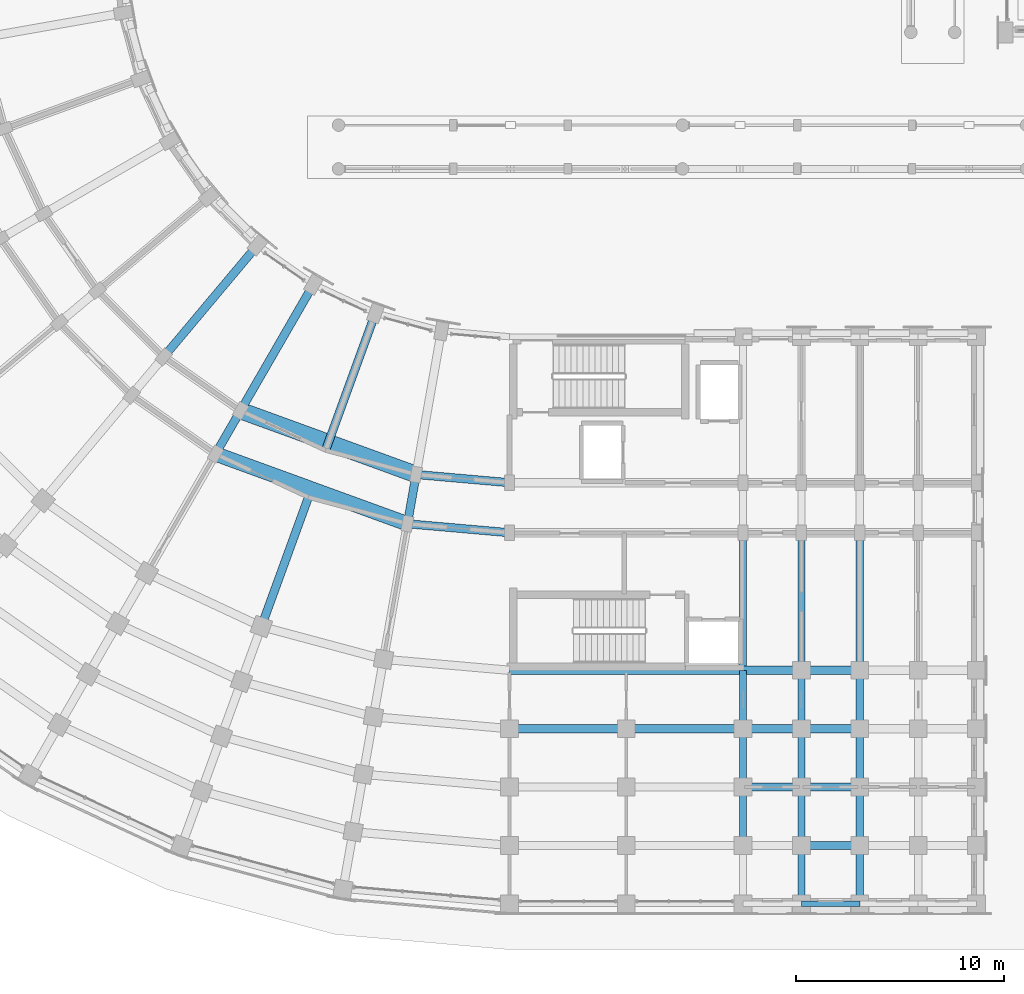
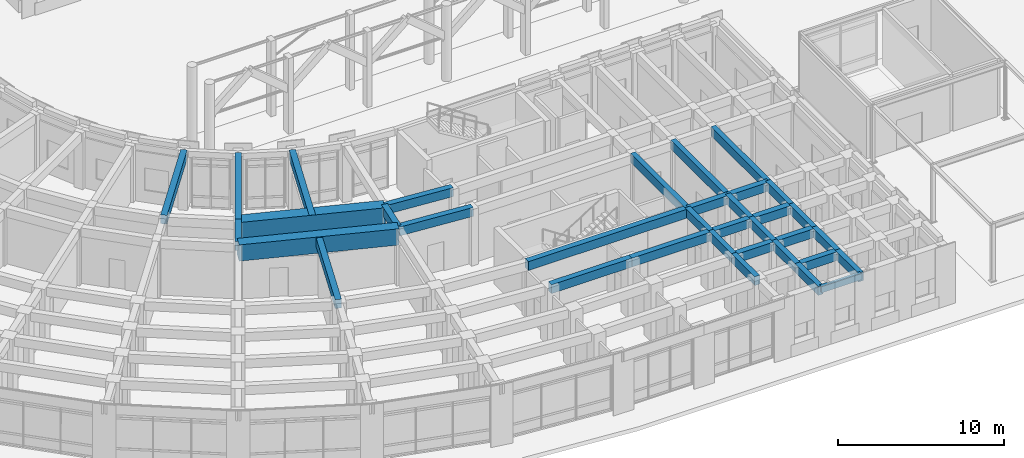
# One storey, part 17 of 135: 35 beams.
"""IFC4 building model written with IfcOpenShell, lengths in metres."""

from ifc_helpers import new_model, si_unit, direction, frame, origin, origin_2d, place, context, subcontext, project, spatial, rectangle, extrude, material, material_profile, profile_set, type_object, element, save


model = new_model("IFC4")

# Units and contexts
model_context = context("Model", 3, precision=1e-05, world=origin(), true_north=direction((0.0, 1.0)))
body_context = subcontext(model_context, "Body", "Model", "MODEL_VIEW")
ifc_project = project(units=[si_unit("LENGTHUNIT", "METRE"), si_unit("AREAUNIT", "SQUARE_METRE"), si_unit("VOLUMEUNIT", "CUBIC_METRE"), si_unit("PLANEANGLEUNIT", "RADIAN"), si_unit("MASSUNIT", "GRAM", prefix="KILO")], contexts=[model_context])

# Site, building, storey
site_placement = place(None, origin())
site = spatial("IfcSite", under=ifc_project, at=site_placement, CompositionType="ELEMENT")
building_placement = place(site_placement, origin())
building = spatial("IfcBuilding", under=site, at=building_placement, Name="Kiranvali Square Residences", CompositionType="ELEMENT")
storey_placement = place(building_placement, origin())
storey = spatial("IfcBuildingStorey", under=building, at=storey_placement, Name="L00", CompositionType="ELEMENT", Elevation=0.0)

# Beams
ifc_material_1 = material(Name="Concrete M40 (40 MPa)", Category="concrete")
ifc_material_profile_1 = material_profile(ifc_material_1, rectangle(XDim=0.35009765625, YDim=0.64990234375, at=origin_2d()), Name="RC 350x650")
ifc_profile_set_1 = profile_set([ifc_material_profile_1], Name="Concrete M40 (40 MPa)")
beam_type_1 = type_object("IfcBeamType", Name="BM-M40-350x650", PredefinedType="BEAM", material=ifc_profile_set_1)
beam_1_placement = place(storey_placement, frame((59.39990234375, 20.0, 3.824951171875), z_axis=(0.0, -1.0, 0.0), x_axis=(1.0, 0.0, 0.0)))
element("IfcBeam", 1, at=beam_1_placement, inside=storey, type_object=beam_type_1, Name="L00 beam BM-C-L00-A1T1-23", PredefinedType="BEAM", context=body_context, shape_type="SweptSolid", body=[
    extrude(rectangle(XDim=0.35009765625, YDim=0.64990234375, at=origin_2d()), origin(), (0.0, 0.0, 1.0), 6.60009765625),
])
beam_2_placement = place(storey_placement, frame((59.39990234375, 13.39990234375, 3.824951171875), z_axis=(0.0, -1.0, 0.0), x_axis=(1.0, 0.0, 0.0)))
element("IfcBeam", 2, at=beam_2_placement, inside=storey, type_object=beam_type_1, Name="L00 beam BM-C-L00-A1T1-34", PredefinedType="BEAM", context=body_context, shape_type="SweptSolid", body=[
    extrude(rectangle(XDim=0.35009765625, YDim=0.64990234375, at=origin_2d()), origin(), (0.0, 0.0, 1.0), 2.7998046875),
])
for number, where, z_axis, x_axis, name in (
    (3, (59.39990234375, 10.60009765625, 3.824951171875), (0.0, -1.0, 0.0), (1.0, 0.0, 0.0), "L00 beam BM-C-L00-A1T1-45"),
    (4, (59.39990234375, 7.800048828125, 3.824951171875), (0.0, -1.0, 0.0), (1.0, 0.0, 0.0), "L00 beam BM-C-L00-A1T1-56"),
):
    element("IfcBeam", number, at=place(storey_placement, frame(where, z_axis=z_axis, x_axis=x_axis)), inside=storey, type_object=beam_type_1, Name=name, PredefinedType="BEAM", context=body_context, shape_type="SweptSolid", body=[
        extrude(rectangle(XDim=0.35009765625, YDim=0.64990234375, at=origin_2d()), origin(), (0.0, 0.0, 1.0), 2.800048828125),
    ])
beam_3_placement = place(storey_placement, frame((62.199951171875, 20.0, 3.824951171875), z_axis=(0.0, -1.0, 0.0), x_axis=(1.0, 0.0, 0.0)))
element("IfcBeam", 5, at=beam_3_placement, inside=storey, type_object=beam_type_1, Name="L00 beam BM-C-L00-A1T2-23", PredefinedType="BEAM", context=body_context, shape_type="SweptSolid", body=[
    extrude(rectangle(XDim=0.35009765625, YDim=0.64990234375, at=origin_2d()), origin(), (0.0, 0.0, 1.0), 6.60009765625),
])
beam_4_placement = place(storey_placement, frame((62.199951171875, 13.39990234375, 3.824951171875), z_axis=(0.0, -1.0, 0.0), x_axis=(1.0, 0.0, 0.0)))
element("IfcBeam", 6, at=beam_4_placement, inside=storey, type_object=beam_type_1, Name="L00 beam BM-C-L00-A1T2-34", PredefinedType="BEAM", context=body_context, shape_type="SweptSolid", body=[
    extrude(rectangle(XDim=0.35009765625, YDim=0.64990234375, at=origin_2d()), origin(), (0.0, 0.0, 1.0), 2.7998046875),
])
for number, where, z_axis, x_axis, name in (
    (7, (62.199951171875, 10.60009765625, 3.824951171875), (0.0, -1.0, 0.0), (1.0, 0.0, 0.0), "L00 beam BM-C-L00-A1T2-45"),
    (8, (62.199951171875, 7.800048828125, 3.824951171875), (0.0, -1.0, 0.0), (1.0, 0.0, 0.0), "L00 beam BM-C-L00-A1T2-56"),
    (9, (62.199951171875, 5.0, 3.824951171875), (0.0, -1.0, 0.0), (1.0, 0.0, 0.0), "L00 beam BM-C-L00-A1T2-67"),
):
    element("IfcBeam", number, at=place(storey_placement, frame(where, z_axis=z_axis, x_axis=x_axis)), inside=storey, type_object=beam_type_1, Name=name, PredefinedType="BEAM", context=body_context, shape_type="SweptSolid", body=[
        extrude(rectangle(XDim=0.35009765625, YDim=0.64990234375, at=origin_2d()), origin(), (0.0, 0.0, 1.0), 2.800048828125),
    ])
beam_5_placement = place(storey_placement, frame((65.0, 20.0, 3.824951171875), z_axis=(0.0, -1.0, 0.0), x_axis=(1.0, 0.0, 0.0)))
element("IfcBeam", 10, at=beam_5_placement, inside=storey, type_object=beam_type_1, Name="L00 beam BM-C-L00-A1T3-23", PredefinedType="BEAM", context=body_context, shape_type="SweptSolid", body=[
    extrude(rectangle(XDim=0.35009765625, YDim=0.64990234375, at=origin_2d()), origin(), (0.0, 0.0, 1.0), 6.60009765625),
])
beam_6_placement = place(storey_placement, frame((65.0, 13.39990234375, 3.824951171875), z_axis=(0.0, -1.0, 0.0), x_axis=(1.0, 0.0, 0.0)))
element("IfcBeam", 11, at=beam_6_placement, inside=storey, type_object=beam_type_1, Name="L00 beam BM-C-L00-A1T3-34", PredefinedType="BEAM", context=body_context, shape_type="SweptSolid", body=[
    extrude(rectangle(XDim=0.35009765625, YDim=0.64990234375, at=origin_2d()), origin(), (0.0, 0.0, 1.0), 2.7998046875),
])
for number, where, z_axis, x_axis, name in (
    (12, (65.0, 10.60009765625, 3.824951171875), (0.0, -1.0, 0.0), (1.0, 0.0, 0.0), "L00 beam BM-C-L00-A1T3-45"),
    (13, (65.0, 7.800048828125, 3.824951171875), (0.0, -1.0, 0.0), (1.0, 0.0, 0.0), "L00 beam BM-C-L00-A1T3-56"),
    (14, (65.0, 5.0, 3.824951171875), (0.0, -1.0, 0.0), (1.0, 0.0, 0.0), "L00 beam BM-C-L00-A1T3-67"),
):
    element("IfcBeam", number, at=place(storey_placement, frame(where, z_axis=z_axis, x_axis=x_axis)), inside=storey, type_object=beam_type_1, Name=name, PredefinedType="BEAM", context=body_context, shape_type="SweptSolid", body=[
        extrude(rectangle(XDim=0.35009765625, YDim=0.64990234375, at=origin_2d()), origin(), (0.0, 0.0, 1.0), 2.800048828125),
    ])
ifc_material_2 = material(Name="Concrete M45 (45 MPa)", Category="concrete")
ifc_material_profile_2 = material_profile(ifc_material_2, rectangle(XDim=0.39990234375, YDim=0.64990234375, at=origin_2d()), Name="RC 400x650")
ifc_profile_set_2 = profile_set([ifc_material_profile_2], Name="Concrete M45 (45 MPa)")
beam_type_2 = type_object("IfcBeamType", Name="BM-M45-400x650", PredefinedType="BEAM", material=ifc_profile_set_2)
beam_7_placement = place(storey_placement, frame((48.199951171875, 22.39990234375, 3.824951171875), z_axis=(-0.996191949488, 0.087187153726, 0.0), x_axis=(-0.087187153726, -0.996191949488, 0.0)))
element("IfcBeam", 15, at=beam_7_placement, inside=storey, type_object=beam_type_2, Name="L00 beam BM-C-L00-C00-R1", PredefinedType="BEAM", context=body_context, shape_type="SweptSolid", body=[
    extrude(rectangle(XDim=0.39990234375, YDim=0.64990234375, at=origin_2d()), origin(), (0.0, 0.0, 1.0), 4.4970703125),
])
beam_8_placement = place(storey_placement, frame((48.199951171875, 20.0, 3.824951171875), z_axis=(-0.996193663584, 0.087167566415, 0.0), x_axis=(-0.087167566415, -0.996193663584, 0.0)))
element("IfcBeam", 16, at=beam_8_placement, inside=storey, type_object=beam_type_2, Name="L00 beam BM-C-L00-C00-R2", PredefinedType="BEAM", context=body_context, shape_type="SweptSolid", body=[
    extrude(rectangle(XDim=0.39990234375, YDim=0.64990234375, at=origin_2d()), origin(), (0.0, 0.0, 1.0), 4.91552734375),
])
beam_9_placement = place(storey_placement, frame((43.719970703125, 22.7919921875, 3.824951171875), z_axis=(-0.173646056486, -0.984808127031, 0.0), x_axis=(0.984808127031, -0.173646056486, 0.0)))
element("IfcBeam", 17, at=beam_9_placement, inside=storey, type_object=beam_type_2, Name="L00 beam BM-C-L00-RAD01-12", PredefinedType="BEAM", context=body_context, shape_type="SweptSolid", body=[
    extrude(rectangle(XDim=0.39990234375, YDim=0.64990234375, at=origin_2d()), origin(), (0.0, 0.0, 1.0), 2.39990234375),
])
beam_10_placement = place(storey_placement, frame((41.77001953125, 30.53369140625, 3.824951171875), z_axis=(-0.342006283793, -0.939697665127, 0.0), x_axis=(0.939697665127, -0.342006283793, 0.0)))
element("IfcBeam", 18, at=beam_10_placement, inside=storey, type_object=beam_type_2, Name="L00 beam BM-C-L00-RAD02-01", PredefinedType="BEAM", context=body_context, shape_type="SweptSolid", body=[
    extrude(rectangle(XDim=0.39990234375, YDim=0.64990234375, at=origin_2d()), origin(), (0.0, 0.0, 1.0), 7.0),
])
beam_11_placement = place(storey_placement, frame((38.554931640625, 21.70068359375, 3.824951171875), z_axis=(-0.342022238372, -0.939691858249, 0.0), x_axis=(0.939691858249, -0.342022238372, 0.0)))
element("IfcBeam", 19, at=beam_11_placement, inside=storey, type_object=beam_type_2, Name="L00 beam BM-C-L00-RAD02-23", PredefinedType="BEAM", context=body_context, shape_type="SweptSolid", body=[
    extrude(rectangle(XDim=0.39990234375, YDim=0.64990234375, at=origin_2d()), origin(), (0.0, 0.0, 1.0), 6.599853515625),
])
beam_12_placement = place(storey_placement, frame((38.800048828125, 31.918701171875, 3.824951171875), z_axis=(-0.499995173006, -0.866028190633, 0.0), x_axis=(0.866028190633, -0.499995173006, 0.0)))
element("IfcBeam", 20, at=beam_12_placement, inside=storey, type_object=beam_type_2, Name="L00 beam BM-C-L00-RAD03-01", PredefinedType="BEAM", context=body_context, shape_type="SweptSolid", body=[
    extrude(rectangle(XDim=0.39990234375, YDim=0.64990234375, at=origin_2d()), origin(), (0.0, 0.0, 1.0), 7.0),
])
beam_13_placement = place(storey_placement, frame((35.300048828125, 25.8564453125, 3.824951171875), z_axis=(-0.500001309137, -0.866024647952, 0.0), x_axis=(0.866024647952, -0.500001309137, 0.0)))
element("IfcBeam", 21, at=beam_13_placement, inside=storey, type_object=beam_type_2, Name="L00 beam BM-C-L00-RAD03-12", PredefinedType="BEAM", context=body_context, shape_type="SweptSolid", body=[
    extrude(rectangle(XDim=0.39990234375, YDim=0.64990234375, at=origin_2d()), origin(), (0.0, 0.0, 1.0), 2.39990234375),
])
beam_14_placement = place(storey_placement, frame((36.115478515625, 33.79833984375, 3.824951171875), z_axis=(-0.642787931032, -0.766044173478, 0.0), x_axis=(0.766044173478, -0.642787931032, 0.0)))
element("IfcBeam", 22, at=beam_14_placement, inside=storey, type_object=beam_type_2, Name="L00 beam BM-C-L00-RAD04-01", PredefinedType="BEAM", context=body_context, shape_type="SweptSolid", body=[
    extrude(rectangle(XDim=0.39990234375, YDim=0.64990234375, at=origin_2d()), origin(), (0.0, 0.0, 1.0), 7.0),
])
beam_15_placement = place(storey_placement, frame((48.199951171875, 13.39990234375, 3.824951171875), z_axis=(1.0, 0.0, 0.0), x_axis=(0.0, 1.0, 0.0)))
element("IfcBeam", 23, at=beam_15_placement, inside=storey, type_object=beam_type_2, Name="L00 beam BM-C-L00-A1U0-R3", PredefinedType="BEAM", context=body_context, shape_type="SweptSolid", body=[
    extrude(rectangle(XDim=0.39990234375, YDim=0.64990234375, at=origin_2d()), origin(), (0.0, 0.0, 1.0), 11.199951171875),
])
for number, where, z_axis, x_axis, name in (
    (24, (59.39990234375, 13.39990234375, 3.824951171875), (1.0, 0.0, 0.0), (0.0, 1.0, 0.0), "L00 beam BM-C-L00-A1U1-R3"),
    (25, (62.199951171875, 13.39990234375, 3.824951171875), (1.0, 0.0, 0.0), (0.0, 1.0, 0.0), "L00 beam BM-C-L00-A1U2-R3"),
):
    element("IfcBeam", number, at=place(storey_placement, frame(where, z_axis=z_axis, x_axis=x_axis)), inside=storey, type_object=beam_type_2, Name=name, PredefinedType="BEAM", context=body_context, shape_type="SweptSolid", body=[
        extrude(rectangle(XDim=0.39990234375, YDim=0.64990234375, at=origin_2d()), origin(), (0.0, 0.0, 1.0), 2.800048828125),
    ])
beam_16_placement = place(storey_placement, frame((48.199951171875, 10.60009765625, 3.824951171875), z_axis=(1.0, 0.0, 0.0), x_axis=(0.0, 1.0, 0.0)))
element("IfcBeam", 26, at=beam_16_placement, inside=storey, type_object=beam_type_2, Name="L00 beam BM-C-L00-A1U0-R4", PredefinedType="BEAM", context=body_context, shape_type="SweptSolid", body=[
    extrude(rectangle(XDim=0.39990234375, YDim=0.64990234375, at=origin_2d()), origin(), (0.0, 0.0, 1.0), 5.60009765625),
])
beam_17_placement = place(storey_placement, frame((53.800048828125, 10.60009765625, 3.824951171875), z_axis=(1.0, 0.0, 0.0), x_axis=(0.0, 1.0, 0.0)))
element("IfcBeam", 27, at=beam_17_placement, inside=storey, type_object=beam_type_2, Name="L00 beam BM-C-L00-A1U1-R4", PredefinedType="BEAM", context=body_context, shape_type="SweptSolid", body=[
    extrude(rectangle(XDim=0.39990234375, YDim=0.64990234375, at=origin_2d()), origin(), (0.0, 0.0, 1.0), 5.599853515625),
])
for number, where, z_axis, x_axis, name in (
    (28, (59.39990234375, 10.60009765625, 3.824951171875), (1.0, 0.0, 0.0), (0.0, 1.0, 0.0), "L00 beam BM-C-L00-A1U2-R4"),
    (29, (62.199951171875, 10.60009765625, 3.824951171875), (1.0, 0.0, 0.0), (0.0, 1.0, 0.0), "L00 beam BM-C-L00-A1U3-R4"),
    (30, (59.39990234375, 7.800048828125, 3.824951171875), (1.0, 0.0, 0.0), (0.0, 1.0, 0.0), "L00 beam BM-C-L00-A1U2-R5"),
    (31, (62.199951171875, 7.800048828125, 3.824951171875), (1.0, 0.0, 0.0), (0.0, 1.0, 0.0), "L00 beam BM-C-L00-A1U3-R5"),
    (32, (62.199951171875, 5.0, 3.824951171875), (1.0, 0.0, 0.0), (0.0, 1.0, 0.0), "L00 beam BM-C-L00-A1U3-R6"),
):
    element("IfcBeam", number, at=place(storey_placement, frame(where, z_axis=z_axis, x_axis=x_axis)), inside=storey, type_object=beam_type_2, Name=name, PredefinedType="BEAM", context=body_context, shape_type="SweptSolid", body=[
        extrude(rectangle(XDim=0.39990234375, YDim=0.64990234375, at=origin_2d()), origin(), (0.0, 0.0, 1.0), 2.800048828125),
    ])
ifc_material_profile_3 = material_profile(ifc_material_1, rectangle(XDim=0.25, YDim=0.449951171875, at=origin_2d()), Name="RC 250x450")
ifc_profile_set_3 = profile_set([ifc_material_profile_3], Name="Concrete M40 (40 MPa)")
beam_type_3 = type_object("IfcBeamType", Name="SPN-M40-250x450", PredefinedType="SPANDREL", material=ifc_profile_set_3)
beam_18_placement = place(storey_placement, frame((62.199951171875, 2.199951171875, 3.925048828125), z_axis=(1.0, 0.0, 0.0), x_axis=(0.0, 1.0, 0.0)))
element("IfcBeam", 33, at=beam_18_placement, inside=storey, type_object=beam_type_3, Name="L00 beam BM-C-L00-A1U3-R7", PredefinedType="SPANDREL", context=body_context, shape_type="SweptSolid", body=[
    extrude(rectangle(XDim=0.25, YDim=0.449951171875, at=origin_2d()), origin(), (0.0, 0.0, 1.0), 2.800048828125),
])
ifc_material_3 = material(Name="Concrete M50 (50 MPa)", Category="concrete")
ifc_material_profile_4 = material_profile(ifc_material_3, rectangle(XDim=0.699951171875, YDim=1.199951171875, at=origin_2d()), Name="RC 700x1200")
ifc_profile_set_4 = profile_set([ifc_material_profile_4], Name="Concrete M50 (50 MPa)")
beam_type_4 = type_object("IfcBeamType", Name="TG-M50-700x1200", PredefinedType="USERDEFINED", material=ifc_profile_set_4)
beam_19_placement = place(storey_placement, frame((43.30322265625, 20.428466796875, 3.550048828125), z_axis=(-0.939694398994, 0.342015257699, 0.0), x_axis=(-0.342015257699, -0.939694398994, 0.0)))
element("IfcBeam", 34, at=beam_19_placement, inside=storey, type_object=beam_type_4, Name="Block C foyer transfer girder TG-R2", ObjectType="TRANSFER GIRDER", PredefinedType="USERDEFINED", context=body_context, shape_type="SweptSolid", body=[
    extrude(rectangle(XDim=0.699951171875, YDim=1.199951171875, at=origin_2d()), origin(), (0.0, 0.0, 1.0), 9.793701171875),
])
ifc_material_profile_5 = material_profile(ifc_material_3, rectangle(XDim=0.800048828125, YDim=1.39990234375, at=origin_2d()), Name="RC 800x1400")
ifc_profile_set_5 = profile_set([ifc_material_profile_5], Name="Concrete M50 (50 MPa)")
beam_type_5 = type_object("IfcBeamType", Name="TG-M50-800x1400", PredefinedType="USERDEFINED", material=ifc_profile_set_5)
beam_20_placement = place(storey_placement, frame((43.719970703125, 22.7919921875, 3.449951171875), z_axis=(-0.939697922535, 0.342005576538, 0.0), x_axis=(-0.342005576538, -0.939697922535, 0.0)))
element("IfcBeam", 35, at=beam_20_placement, inside=storey, type_object=beam_type_5, Name="Block C foyer transfer girder TG-R1", ObjectType="TRANSFER GIRDER", PredefinedType="USERDEFINED", context=body_context, shape_type="SweptSolid", body=[
    extrude(rectangle(XDim=0.800048828125, YDim=1.39990234375, at=origin_2d()), origin(), (0.0, 0.0, 1.0), 8.960205078125),
])

save(model, "model.ifc")
